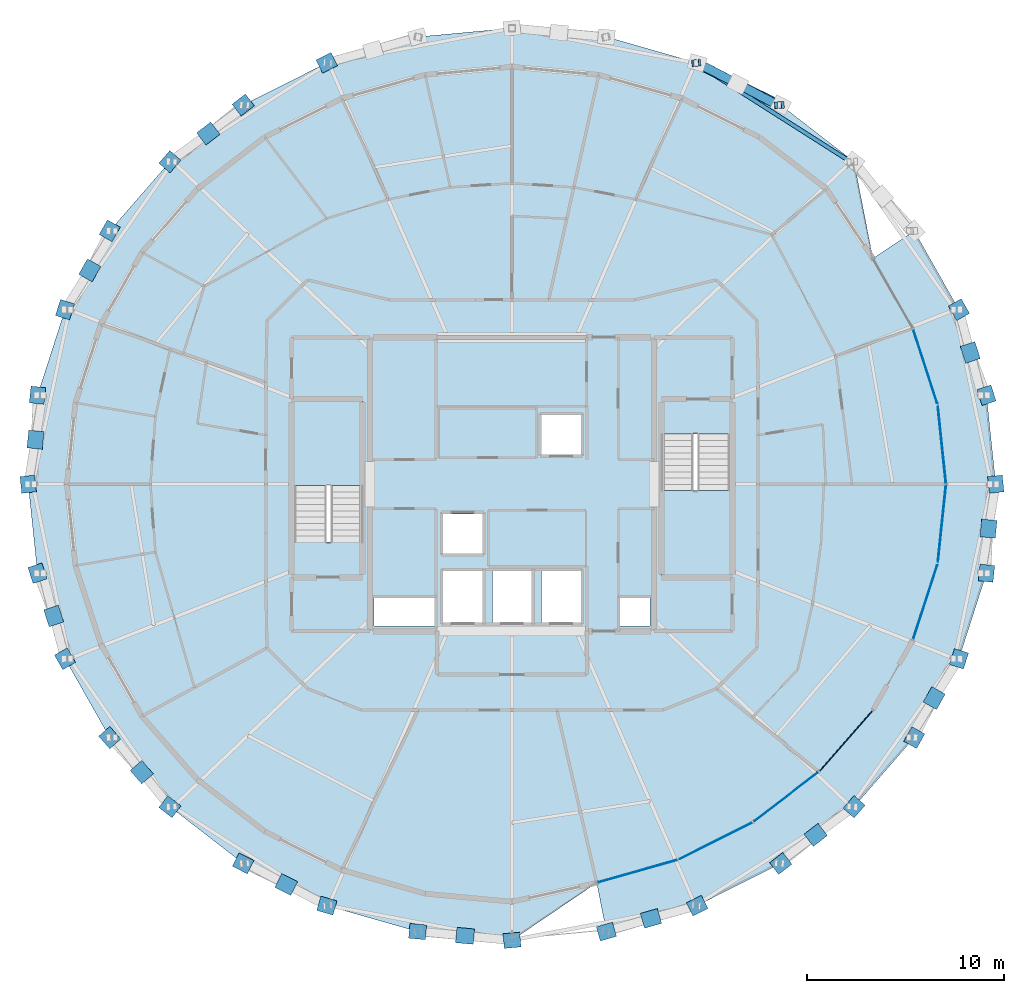
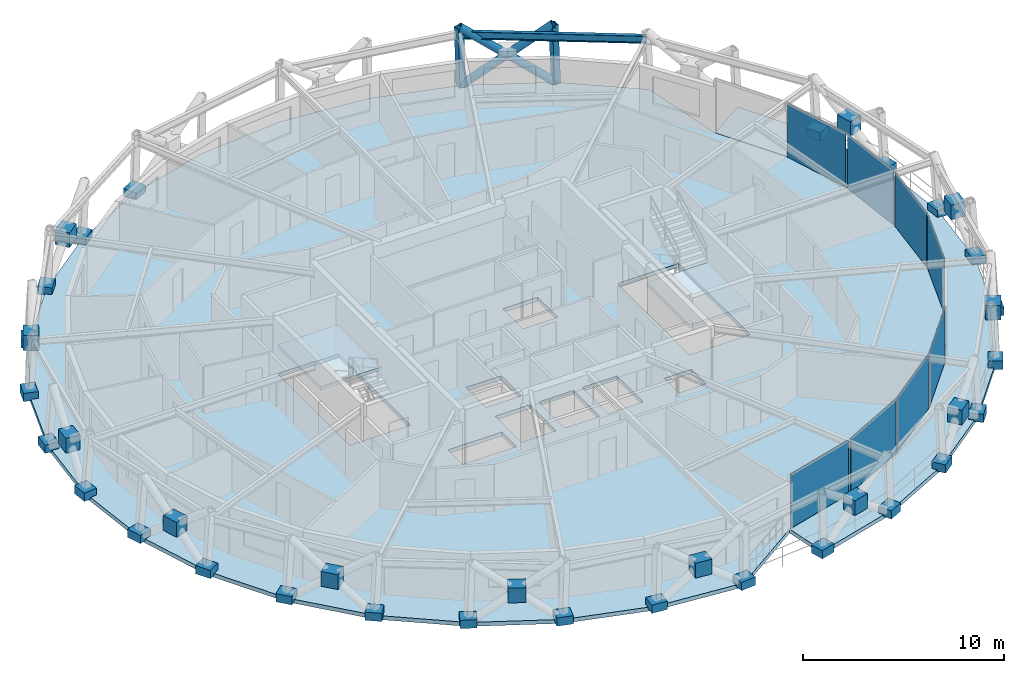
# One storey, part 10 of 17: 45 plates, 5 members, 4 slabs, 1 beam, 4 elements without a shape of their own.
"""IFC4 building model written with IfcOpenShell, lengths in metres."""

from ifc_helpers import new_model, si_unit, direction, frame, origin, origin_2d, place, context, subcontext, project, spatial, polyline, rectangle, hollow_rectangle, hollow_circle, i_section, outline, extrude, material, layer, layer_set, material_profile, profile_set, type_object, element, aggregate, save


model = new_model("IFC4")

# Units and contexts
model_context = context("Model", 3, precision=1e-05, world=origin(), true_north=direction((0.0, 1.0)))
body_context = subcontext(model_context, "Body", "Model", "MODEL_VIEW")
ifc_project = project(units=[si_unit("LENGTHUNIT", "METRE"), si_unit("AREAUNIT", "SQUARE_METRE"), si_unit("VOLUMEUNIT", "CUBIC_METRE"), si_unit("PLANEANGLEUNIT", "RADIAN"), si_unit("MASSUNIT", "GRAM", prefix="KILO")], contexts=[model_context])

# Site, building, storey
site_placement = place(None, origin())
site = spatial("IfcSite", under=ifc_project, at=site_placement, CompositionType="ELEMENT")
building_placement = place(site_placement, origin())
building = spatial("IfcBuilding", under=site, at=building_placement, Name="Veldorina Hangang Commons", CompositionType="ELEMENT")
storey_placement = place(building_placement, frame((0.0, 0.0, 229.199951171875)))
storey = spatial("IfcBuildingStorey", under=building, at=storey_placement, Name="L59", CompositionType="ELEMENT", Elevation=229.199951171875)

# Beam
ifc_material_1 = material(Name="Steel SM355-TMC", Category="steel")
ifc_material_profile_1 = material_profile(ifc_material_1, i_section(OverallWidth=0.199951171875, OverallDepth=0.449951171875, WebThickness=0.009033203125, FlangeThickness=0.013916015625, FilletRadius=0.01611328125, at=origin_2d()), Name="H-450x200x9x14")
ifc_profile_set_1 = profile_set([ifc_material_profile_1], Name="Steel SM355-TMC")
beam_type = type_object("IfcBeamType", Name="BM-RB450", PredefinedType="BEAM", material=ifc_profile_set_1)
beam_placement = place(storey_placement, frame((49.18310546875, 40.34814453125, 3.135009765625), z_axis=(-0.843907831435, 0.536488184439, 0.0), x_axis=(-0.536488184439, -0.843907831435, 0.0)))
element("IfcBeam", 1, at=beam_placement, inside=storey, type_object=beam_type, Name="L59 perimeter hoop ring beam 04", PredefinedType="BEAM", context=body_context, shape_type="SweptSolid", body=[
    extrude(i_section(OverallWidth=0.199951171875, OverallDepth=0.449951171875, WebThickness=0.009033203125, FlangeThickness=0.013916015625, FilletRadius=0.01611328125, at=origin_2d()), origin(), (0.0, 0.0, 1.0), 9.341796875),
])

# Members
ifc_material_profile_2 = material_profile(ifc_material_1, hollow_circle(Radius=0.22509765625, WallThickness=0.02197265625, at=origin_2d()), Name="CHS-450x22")
ifc_profile_set_2 = profile_set([ifc_material_profile_2], Name="Steel SM355-TMC")
member_type_1 = type_object("IfcMemberType", Name="DG-CHS450", PredefinedType="BRACE", material=ifc_profile_set_2)
member_1_placement = place(storey_placement, frame((45.63037109375, 43.232177734375, 0.0), z_axis=(-0.720506646841, 0.352640911956, 0.597088401389), x_axis=(-0.439605718611, -0.898190855088, 0.0)))
element("IfcMember", 2, at=member_1_placement, inside=storey, type_object=member_type_1, Name="L59 continuous perimeter diagrid brace 05", PredefinedType="BRACE", context=body_context, shape_type="SweptSolid", body=[
    extrude(hollow_circle(Radius=0.22509765625, WallThickness=0.02197265625, at=origin_2d()), origin(), (0.0, 0.0, 1.0), 6.029541015625),
])
member_2_placement = place(storey_placement, frame((41.388916015625, 45.36962890625, 0.0), z_axis=(0.700111815899, -0.363540342, 0.61455826817), x_axis=(0.460835983665, 0.887485321658, 0.0)))
element("IfcMember", 3, at=member_2_placement, inside=storey, type_object=member_type_1, Name="L59 split perimeter diagrid lower brace 06", PredefinedType="BRACE", context=body_context, shape_type="SweptSolid", body=[
    extrude(hollow_circle(Radius=0.22509765625, WallThickness=0.02197265625, at=origin_2d()), origin(), (0.0, 0.0, 1.0), 2.942138671875),
])
member_3_placement = place(storey_placement, frame((43.44873046875, 44.300048828125, 1.80810546875), z_axis=(0.697010762188, -0.369601551172, 0.614467811009), x_axis=(0.468477532802, 0.883475410671, 0.0)))
element("IfcMember", 4, at=member_3_placement, inside=storey, type_object=member_type_1, Name="L59 split perimeter diagrid upper brace 06", PredefinedType="BRACE", context=body_context, shape_type="SweptSolid", body=[
    extrude(hollow_circle(Radius=0.22509765625, WallThickness=0.02197265625, at=origin_2d()), origin(), (0.0, 0.0, 1.0), 2.916259765625),
])
ifc_material_profile_3 = material_profile(ifc_material_1, hollow_rectangle(XDim=0.35009765625, YDim=0.35009765625, WallThickness=0.01611328125, at=origin_2d()), Name="SHS-350x350x16")
ifc_profile_set_3 = profile_set([ifc_material_profile_3], Name="Steel SM355-TMC")
member_type_2 = type_object("IfcMemberType", Name="STR-SHS350", PredefinedType="STRUT", material=ifc_profile_set_3)
member_4_placement = place(storey_placement, frame((45.63037109375, 43.232177734375, 0.0), z_axis=(-0.041331641703, -0.002778028377, 0.999141620569), x_axis=(0.067061806148, -0.99774882318, 0.0)))
element("IfcMember", 5, at=member_4_placement, inside=storey, type_object=member_type_2, Name="L59 perimeter ring node post 05", PredefinedType="STRUT", context=body_context, shape_type="SweptSolid", body=[
    extrude(hollow_rectangle(XDim=0.35009765625, YDim=0.35009765625, WallThickness=0.01611328125, at=origin_2d()), origin(), (0.0, 0.0, 1.0), 3.603271484375),
])
member_5_placement = place(storey_placement, frame((41.388916015625, 45.36962890625, 0.0), z_axis=(-0.028538347922, -0.003118204286, 0.99958783481), x_axis=(0.108617215763, -0.994083648613, 0.0)))
element("IfcMember", 6, at=member_5_placement, inside=storey, type_object=member_type_2, Name="L59 perimeter ring node post 06", PredefinedType="STRUT", context=body_context, shape_type="SweptSolid", body=[
    extrude(hollow_rectangle(XDim=0.35009765625, YDim=0.35009765625, WallThickness=0.01611328125, at=origin_2d()), origin(), (0.0, 0.0, 1.0), 3.6015625),
])

# Curtain wall, plates
ifc_material_2 = material(Name="Glass Low-E Selective", Category="glass")
ifc_layer_1 = layer(ifc_material_2, 0.179931640625)
ifc_layer_set_1 = layer_set([ifc_layer_1], Name="Glass Low-E Selective")
curtain_wall_type = type_object("IfcCurtainWallType", Name="CW-SYS-Z3", PredefinedType="NOTDEFINED", material=ifc_layer_set_1)
curtain_wall_1_placement = place(storey_placement, origin())
curtain_wall_1 = element("IfcCurtainWall", 7, at=curtain_wall_1_placement, inside=storey, type_object=curtain_wall_type, Name="L59 unitised curtain wall CW-L59-R1", PredefinedType="NOTDEFINED")
ifc_material_3 = material(Name="Glass Low-E Triple IGU", Category="glass")
ifc_layer_2 = layer(ifc_material_3, 0.0400390625)
ifc_layer_set_2 = layer_set([ifc_layer_2], Name="Glass Low-E Triple IGU")
plate_type_1 = type_object("IfcPlateType", Name="CW-PNL-VIS", PredefinedType="CURTAIN_PANEL", material=ifc_layer_set_2)
plate_1_placement = place(storey_placement, frame((38.359619140625, 4.3720703125, 0.01513671875), z_axis=(0.0, 0.0, 1.0), x_axis=(0.961956179969, 0.273203784416, 0.0)))
plate_1 = element("IfcPlate", 8, at=plate_1_placement, type_object=plate_type_1, Name="CW-L59-R1 facet 1 glazed vision panel", PredefinedType="CURTAIN_PANEL", context=body_context, shape_type="SweptSolid", body=[
    extrude(rectangle(XDim=4.113037109375, YDim=0.0400390625, at=origin_2d()), origin(), (0.0, 0.0, 1.0), 3.2900390625),
])
plate_2_placement = place(storey_placement, frame((42.327392578125, 5.910888671875, 0.01513671875), z_axis=(0.0, 0.0, 1.0), x_axis=(0.894271429251, 0.447524983465, 0.0)))
plate_2 = element("IfcPlate", 9, at=plate_2_placement, type_object=plate_type_1, Name="CW-L59-R1 facet 2 glazed vision panel", PredefinedType="CURTAIN_PANEL", context=body_context, shape_type="SweptSolid", body=[
    extrude(rectangle(XDim=4.075927734375, YDim=0.0400390625, at=origin_2d()), origin(), (0.0, 0.0, 1.0), 3.2900390625),
])
plate_3_placement = place(storey_placement, frame((45.898193359375, 8.144775390625, 0.01513671875), z_axis=(0.0, 0.0, 1.0), x_axis=(0.792970687628, 0.609259787416, 0.0)))
plate_3 = element("IfcPlate", 10, at=plate_3_placement, type_object=plate_type_1, Name="CW-L59-R1 facet 3 glazed vision panel", PredefinedType="CURTAIN_PANEL", context=body_context, shape_type="SweptSolid", body=[
    extrude(rectangle(XDim=4.02685546875, YDim=0.0400390625, at=origin_2d()), origin(), (0.0, 0.0, 1.0), 3.2900390625),
])
plate_4_placement = place(storey_placement, frame((48.93505859375, 10.98779296875, 0.01513671875), z_axis=(0.0, 0.0, 1.0), x_axis=(0.659188335679, 0.751977884053, 0.0)))
plate_4 = element("IfcPlate", 11, at=plate_4_placement, type_object=plate_type_1, Name="CW-L59-R1 facet 4 glazed vision panel", PredefinedType="CURTAIN_PANEL", context=body_context, shape_type="SweptSolid", body=[
    extrude(rectangle(XDim=3.973388671875, YDim=0.0400390625, at=origin_2d()), origin(), (0.0, 0.0, 1.0), 3.2900390625),
])
aggregate(curtain_wall_1, [plate_1, plate_2, plate_3, plate_4])

curtain_wall_2_placement = place(storey_placement, origin())
curtain_wall_2 = element("IfcCurtainWall", 12, at=curtain_wall_2_placement, inside=storey, type_object=curtain_wall_type, Name="L59 unitised curtain wall CW-L59-R2", PredefinedType="NOTDEFINED")
plate_5_placement = place(storey_placement, frame((52.964599609375, 18.0458984375, 0.01513671875), z_axis=(0.0, 0.0, 1.0), x_axis=(0.308236734317, 0.951309684392, 0.0)))
plate_5 = element("IfcPlate", 13, at=plate_5_placement, type_object=plate_type_1, Name="CW-L59-R2 facet 1 glazed vision panel", PredefinedType="CURTAIN_PANEL", context=body_context, shape_type="SweptSolid", body=[
    extrude(rectangle(XDim=3.88427734375, YDim=0.0400390625, at=origin_2d()), origin(), (0.0, 0.0, 1.0), 3.2900390625),
])
plate_6_placement = place(storey_placement, frame((53.802490234375, 21.989501953125, 0.01513671875), z_axis=(0.0, 0.0, 1.0), x_axis=(0.104615251277, 0.994512769752, 0.0)))
plate_6 = element("IfcPlate", 14, at=plate_6_placement, type_object=plate_type_1, Name="CW-L59-R2 facet 2 glazed vision panel", PredefinedType="CURTAIN_PANEL", context=body_context, shape_type="SweptSolid", body=[
    extrude(rectangle(XDim=3.863037109375, YDim=0.0400390625, at=origin_2d()), origin(), (0.0, 0.0, 1.0), 3.2900390625),
])
plate_7_placement = place(storey_placement, frame((53.802490234375, 26.010498046875, 0.01513671875), z_axis=(0.0, 0.0, 1.0), x_axis=(-0.104615251277, 0.994512769752, 0.0)))
plate_7 = element("IfcPlate", 15, at=plate_7_placement, type_object=plate_type_1, Name="CW-L59-R2 facet 3 glazed vision panel", PredefinedType="CURTAIN_PANEL", context=body_context, shape_type="SweptSolid", body=[
    extrude(rectangle(XDim=3.863037109375, YDim=0.0400390625, at=origin_2d()), origin(), (0.0, 0.0, 1.0), 3.2900390625),
])
plate_8_placement = place(storey_placement, frame((52.964599609375, 29.9541015625, 0.01513671875), z_axis=(0.0, 0.0, 1.0), x_axis=(-0.308236734317, 0.951309684392, 0.0)))
plate_8 = element("IfcPlate", 16, at=plate_8_placement, type_object=plate_type_1, Name="CW-L59-R2 facet 4 glazed vision panel", PredefinedType="CURTAIN_PANEL", context=body_context, shape_type="SweptSolid", body=[
    extrude(rectangle(XDim=3.88427734375, YDim=0.0400390625, at=origin_2d()), origin(), (0.0, 0.0, 1.0), 3.2900390625),
])
aggregate(curtain_wall_2, [plate_5, plate_6, plate_7, plate_8])

# Plates
ifc_material_4 = material(Name="Steel SM460-TMC", Category="steel")
ifc_layer_3 = layer(ifc_material_4, 0.035888671875)
ifc_layer_set_3 = layer_set([ifc_layer_3], Name="Steel SM460-TMC")
plate_type_2 = type_object("IfcPlateType", Name="PL-STAR-36", PredefinedType="USERDEFINED", material=ifc_layer_set_3)
for number, where, z_axis, x_axis, name in (
    (17, (56.533935546875, 24.0, -0.08984375), (0.0, 0.0, 1.0), (-0.10390356614, 0.994587376224, 0.0), "L59 diagrid star-node gusset plate 00"),
    (18, (56.0625, 28.512451171875, -0.08984375), (0.0, 0.0, 1.0), (-0.306293485123, 0.951937130787, 0.0), "L59 diagrid star-node gusset plate 01"),
):
    element("IfcPlate", number, at=place(storey_placement, frame(where, z_axis=z_axis, x_axis=x_axis)), inside=storey, type_object=plate_type_2, Name=name, ObjectType="GUSSET PLATE", PredefinedType="USERDEFINED", context=body_context, shape_type="SweptSolid", body=[
        extrude(rectangle(XDim=0.85009765625, YDim=0.75, at=origin_2d()), origin(), (0.0, 0.0, 1.0), 0.5),
    ])
plate_9_placement = place(storey_placement, frame((55.239990234375, 30.681396484375, 1.351318359375), z_axis=(0.0, 0.0, 1.0), x_axis=(-0.306293485123, 0.951937130787, 0.0)))
element("IfcPlate", 19, at=plate_9_placement, inside=storey, type_object=plate_type_2, Name="L59 diagrid X-crossing star-node gusset plate 01", ObjectType="GUSSET PLATE", PredefinedType="USERDEFINED", context=body_context, shape_type="SweptSolid", body=[
    extrude(rectangle(XDim=0.89990234375, YDim=0.780029296875, at=origin_2d()), origin(), (0.0, 0.0, 1.0), 0.89990234375),
])
for number, where, z_axis, x_axis, name in (
    (20, (54.66650390625, 32.8515625, -0.08984375), (0.0, 0.0, 1.0), (-0.493198084126, 0.869917036168, 0.0), "L59 diagrid star-node gusset plate 02"),
    (21, (22.611083984375, 45.36962890625, -0.08984375), (0.0, 0.0, 1.0), (-0.89301821851, -0.45002051221, 0.0), "L59 diagrid star-node gusset plate 10"),
    (22, (18.36962890625, 43.232177734375, -0.08984375), (0.0, 0.0, 1.0), (-0.790913909982, -0.611927436055, 0.0), "L59 diagrid star-node gusset plate 11"),
):
    element("IfcPlate", number, at=place(storey_placement, frame(where, z_axis=z_axis, x_axis=x_axis)), inside=storey, type_object=plate_type_2, Name=name, ObjectType="GUSSET PLATE", PredefinedType="USERDEFINED", context=body_context, shape_type="SweptSolid", body=[
        extrude(rectangle(XDim=0.85009765625, YDim=0.75, at=origin_2d()), origin(), (0.0, 0.0, 1.0), 0.5),
    ])
plate_10_placement = place(storey_placement, frame((16.599365234375, 41.784423828125, 1.3564453125), z_axis=(0.0, 0.0, 1.0), x_axis=(-0.790913909982, -0.611927436055, 0.0)))
element("IfcPlate", 23, at=plate_10_placement, inside=storey, type_object=plate_type_2, Name="L59 diagrid X-crossing star-node gusset plate 11", ObjectType="GUSSET PLATE", PredefinedType="USERDEFINED", context=body_context, shape_type="SweptSolid", body=[
    extrude(rectangle(XDim=0.89990234375, YDim=0.780029296875, at=origin_2d()), origin(), (0.0, 0.0, 1.0), 0.89990234375),
])
for number, where, z_axis, x_axis, name in (
    (24, (14.65185546875, 40.355712890625, -0.08984375), (0.0, 0.0, 1.0), (-0.656572591483, -0.754262840204, 0.0), "L59 diagrid star-node gusset plate 12"),
    (25, (11.6005859375, 36.8505859375, -0.08984375), (0.0, 0.0, 1.0), (-0.493198084126, -0.869917036168, 0.0), "L59 diagrid star-node gusset plate 13"),
):
    element("IfcPlate", number, at=place(storey_placement, frame(where, z_axis=z_axis, x_axis=x_axis)), inside=storey, type_object=plate_type_2, Name=name, ObjectType="GUSSET PLATE", PredefinedType="USERDEFINED", context=body_context, shape_type="SweptSolid", body=[
        extrude(rectangle(XDim=0.85009765625, YDim=0.75, at=origin_2d()), origin(), (0.0, 0.0, 1.0), 0.5),
    ])
plate_11_placement = place(storey_placement, frame((10.58935546875, 34.845703125, 1.352783203125), z_axis=(0.0, 0.0, 1.0), x_axis=(-0.493198084126, -0.869917036168, 0.0)))
element("IfcPlate", 26, at=plate_11_placement, inside=storey, type_object=plate_type_2, Name="L59 diagrid X-crossing star-node gusset plate 13", ObjectType="GUSSET PLATE", PredefinedType="USERDEFINED", context=body_context, shape_type="SweptSolid", body=[
    extrude(rectangle(XDim=0.89990234375, YDim=0.780029296875, at=origin_2d()), origin(), (0.0, 0.0, 1.0), 0.89990234375),
])
for number, where, z_axis, x_axis, name in (
    (27, (9.33349609375, 32.8515625, -0.08984375), (0.0, 0.0, 1.0), (-0.306293485123, -0.951937130787, 0.0), "L59 diagrid star-node gusset plate 14"),
    (28, (7.9375, 28.512451171875, -0.08984375), (0.0, 0.0, 1.0), (-0.10390356614, -0.994587376224, 0.0), "L59 diagrid star-node gusset plate 15"),
):
    element("IfcPlate", number, at=place(storey_placement, frame(where, z_axis=z_axis, x_axis=x_axis)), inside=storey, type_object=plate_type_2, Name=name, ObjectType="GUSSET PLATE", PredefinedType="USERDEFINED", context=body_context, shape_type="SweptSolid", body=[
        extrude(rectangle(XDim=0.85009765625, YDim=0.75, at=origin_2d()), origin(), (0.0, 0.0, 1.0), 0.5),
    ])
plate_12_placement = place(storey_placement, frame((7.835693359375, 26.255615234375, 1.3505859375), z_axis=(0.0, 0.0, 1.0), x_axis=(-0.10390356614, -0.994587376224, 0.0)))
element("IfcPlate", 29, at=plate_12_placement, inside=storey, type_object=plate_type_2, Name="L59 diagrid X-crossing star-node gusset plate 15", ObjectType="GUSSET PLATE", PredefinedType="USERDEFINED", context=body_context, shape_type="SweptSolid", body=[
    extrude(rectangle(XDim=0.89990234375, YDim=0.780029296875, at=origin_2d()), origin(), (0.0, 0.0, 1.0), 0.89990234375),
])
for number, where, z_axis, x_axis, name in (
    (30, (7.466064453125, 24.0, -0.08984375), (0.0, 0.0, 1.0), (0.10390356614, -0.994587376224, 0.0), "L59 diagrid star-node gusset plate 16"),
    (31, (7.9375, 19.487548828125, -0.08984375), (0.0, 0.0, 1.0), (0.306293485123, -0.951937130787, 0.0), "L59 diagrid star-node gusset plate 17"),
):
    element("IfcPlate", number, at=place(storey_placement, frame(where, z_axis=z_axis, x_axis=x_axis)), inside=storey, type_object=plate_type_2, Name=name, ObjectType="GUSSET PLATE", PredefinedType="USERDEFINED", context=body_context, shape_type="SweptSolid", body=[
        extrude(rectangle(XDim=0.85009765625, YDim=0.75, at=origin_2d()), origin(), (0.0, 0.0, 1.0), 0.5),
    ])
plate_13_placement = place(storey_placement, frame((8.760009765625, 17.318603515625, 1.351318359375), z_axis=(0.0, 0.0, 1.0), x_axis=(0.306293485123, -0.951937130787, 0.0)))
element("IfcPlate", 32, at=plate_13_placement, inside=storey, type_object=plate_type_2, Name="L59 diagrid X-crossing star-node gusset plate 17", ObjectType="GUSSET PLATE", PredefinedType="USERDEFINED", context=body_context, shape_type="SweptSolid", body=[
    extrude(rectangle(XDim=0.89990234375, YDim=0.780029296875, at=origin_2d()), origin(), (0.0, 0.0, 1.0), 0.89990234375),
])
for number, where, z_axis, x_axis, name in (
    (33, (9.33349609375, 15.1484375, -0.08984375), (0.0, 0.0, 1.0), (0.493198084126, -0.869917036168, 0.0), "L59 diagrid star-node gusset plate 18"),
    (34, (11.6005859375, 11.1494140625, -0.08984375), (0.0, 0.0, 1.0), (0.656572591483, -0.754262840204, 0.0), "L59 diagrid star-node gusset plate 19"),
):
    element("IfcPlate", number, at=place(storey_placement, frame(where, z_axis=z_axis, x_axis=x_axis)), inside=storey, type_object=plate_type_2, Name=name, ObjectType="GUSSET PLATE", PredefinedType="USERDEFINED", context=body_context, shape_type="SweptSolid", body=[
        extrude(rectangle(XDim=0.85009765625, YDim=0.75, at=origin_2d()), origin(), (0.0, 0.0, 1.0), 0.5),
    ])
plate_14_placement = place(storey_placement, frame((13.22509765625, 9.39697265625, 1.3544921875), z_axis=(0.0, 0.0, 1.0), x_axis=(0.656572591483, -0.754262840204, 0.0)))
element("IfcPlate", 35, at=plate_14_placement, inside=storey, type_object=plate_type_2, Name="L59 diagrid X-crossing star-node gusset plate 19", ObjectType="GUSSET PLATE", PredefinedType="USERDEFINED", context=body_context, shape_type="SweptSolid", body=[
    extrude(rectangle(XDim=0.89990234375, YDim=0.780029296875, at=origin_2d()), origin(), (0.0, 0.0, 1.0), 0.89990234375),
])
for number, where, z_axis, x_axis, name in (
    (36, (14.65185546875, 7.644287109375, -0.08984375), (0.0, 0.0, 1.0), (0.790913909982, -0.611927436055, 0.0), "L59 diagrid star-node gusset plate 20"),
    (37, (18.36962890625, 4.767822265625, -0.08984375), (0.0, 0.0, 1.0), (0.89301821851, -0.45002051221, 0.0), "L59 diagrid star-node gusset plate 21"),
):
    element("IfcPlate", number, at=place(storey_placement, frame(where, z_axis=z_axis, x_axis=x_axis)), inside=storey, type_object=plate_type_2, Name=name, ObjectType="GUSSET PLATE", PredefinedType="USERDEFINED", context=body_context, shape_type="SweptSolid", body=[
        extrude(rectangle(XDim=0.85009765625, YDim=0.75, at=origin_2d()), origin(), (0.0, 0.0, 1.0), 0.5),
    ])
plate_15_placement = place(storey_placement, frame((20.55126953125, 3.699951171875, 1.358154296875), z_axis=(0.0, 0.0, 1.0), x_axis=(0.89301821851, -0.45002051221, 0.0)))
element("IfcPlate", 38, at=plate_15_placement, inside=storey, type_object=plate_type_2, Name="L59 diagrid X-crossing star-node gusset plate 21", ObjectType="GUSSET PLATE", PredefinedType="USERDEFINED", context=body_context, shape_type="SweptSolid", body=[
    extrude(rectangle(XDim=0.89990234375, YDim=0.780029296875, at=origin_2d()), origin(), (0.0, 0.0, 1.0), 0.89990234375),
])
for number, where, z_axis, x_axis, name in (
    (39, (22.611083984375, 2.63037109375, -0.08984375), (0.0, 0.0, 1.0), (0.961453892845, -0.274966201438, 0.0), "L59 diagrid star-node gusset plate 22"),
    (40, (27.213623046875, 1.314208984375, -0.08984375), (0.0, 0.0, 1.0), (0.995716633539, -0.092457480467, 0.0), "L59 diagrid star-node gusset plate 23"),
):
    element("IfcPlate", number, at=place(storey_placement, frame(where, z_axis=z_axis, x_axis=x_axis)), inside=storey, type_object=plate_type_2, Name=name, ObjectType="GUSSET PLATE", PredefinedType="USERDEFINED", context=body_context, shape_type="SweptSolid", body=[
        extrude(rectangle(XDim=0.85009765625, YDim=0.75, at=origin_2d()), origin(), (0.0, 0.0, 1.0), 0.5),
    ])
plate_16_placement = place(storey_placement, frame((29.619873046875, 1.0966796875, 1.35986328125), z_axis=(0.0, 0.0, 1.0), x_axis=(0.995716633539, -0.092457480467, 0.0)))
element("IfcPlate", 41, at=plate_16_placement, inside=storey, type_object=plate_type_2, Name="L59 diagrid X-crossing star-node gusset plate 23", ObjectType="GUSSET PLATE", PredefinedType="USERDEFINED", context=body_context, shape_type="SweptSolid", body=[
    extrude(rectangle(XDim=0.89990234375, YDim=0.780029296875, at=origin_2d()), origin(), (0.0, 0.0, 1.0), 0.89990234375),
])
for number, where, z_axis, x_axis, name in (
    (42, (32.0, 0.86962890625, -0.08984375), (0.0, 0.0, 1.0), (0.995716633539, 0.092457480467, 0.0), "L59 diagrid star-node gusset plate 24"),
    (43, (36.786376953125, 1.314208984375, -0.08984375), (0.0, 0.0, 1.0), (0.961453892845, 0.274966201438, 0.0), "L59 diagrid star-node gusset plate 25"),
):
    element("IfcPlate", number, at=place(storey_placement, frame(where, z_axis=z_axis, x_axis=x_axis)), inside=storey, type_object=plate_type_2, Name=name, ObjectType="GUSSET PLATE", PredefinedType="USERDEFINED", context=body_context, shape_type="SweptSolid", body=[
        extrude(rectangle(XDim=0.85009765625, YDim=0.75, at=origin_2d()), origin(), (0.0, 0.0, 1.0), 0.5),
    ])
plate_17_placement = place(storey_placement, frame((39.047607421875, 1.981201171875, 1.359375), z_axis=(0.0, 0.0, 1.0), x_axis=(0.961453892845, 0.274966201438, 0.0)))
element("IfcPlate", 44, at=plate_17_placement, inside=storey, type_object=plate_type_2, Name="L59 diagrid X-crossing star-node gusset plate 25", ObjectType="GUSSET PLATE", PredefinedType="USERDEFINED", context=body_context, shape_type="SweptSolid", body=[
    extrude(rectangle(XDim=0.89990234375, YDim=0.780029296875, at=origin_2d()), origin(), (0.0, 0.0, 1.0), 0.89990234375),
])
for number, where, z_axis, x_axis, name in (
    (45, (41.388916015625, 2.63037109375, -0.08984375), (0.0, 0.0, 1.0), (0.89301821851, 0.45002051221, 0.0), "L59 diagrid star-node gusset plate 26"),
    (46, (45.63037109375, 4.767822265625, -0.08984375), (0.0, 0.0, 1.0), (0.790913909982, 0.611927436055, 0.0), "L59 diagrid star-node gusset plate 27"),
):
    element("IfcPlate", number, at=place(storey_placement, frame(where, z_axis=z_axis, x_axis=x_axis)), inside=storey, type_object=plate_type_2, Name=name, ObjectType="GUSSET PLATE", PredefinedType="USERDEFINED", context=body_context, shape_type="SweptSolid", body=[
        extrude(rectangle(XDim=0.85009765625, YDim=0.75, at=origin_2d()), origin(), (0.0, 0.0, 1.0), 0.5),
    ])
plate_18_placement = place(storey_placement, frame((47.400634765625, 6.215576171875, 1.3564453125), z_axis=(0.0, 0.0, 1.0), x_axis=(0.790913909982, 0.611927436055, 0.0)))
element("IfcPlate", 47, at=plate_18_placement, inside=storey, type_object=plate_type_2, Name="L59 diagrid X-crossing star-node gusset plate 27", ObjectType="GUSSET PLATE", PredefinedType="USERDEFINED", context=body_context, shape_type="SweptSolid", body=[
    extrude(rectangle(XDim=0.89990234375, YDim=0.780029296875, at=origin_2d()), origin(), (0.0, 0.0, 1.0), 0.89990234375),
])
for number, where, z_axis, x_axis, name in (
    (48, (49.34814453125, 7.644287109375, -0.08984375), (0.0, 0.0, 1.0), (0.656572591483, 0.754262840204, 0.0), "L59 diagrid star-node gusset plate 28"),
    (49, (52.3994140625, 11.1494140625, -0.08984375), (0.0, 0.0, 1.0), (0.493198084126, 0.869917036168, 0.0), "L59 diagrid star-node gusset plate 29"),
):
    element("IfcPlate", number, at=place(storey_placement, frame(where, z_axis=z_axis, x_axis=x_axis)), inside=storey, type_object=plate_type_2, Name=name, ObjectType="GUSSET PLATE", PredefinedType="USERDEFINED", context=body_context, shape_type="SweptSolid", body=[
        extrude(rectangle(XDim=0.85009765625, YDim=0.75, at=origin_2d()), origin(), (0.0, 0.0, 1.0), 0.5),
    ])
plate_19_placement = place(storey_placement, frame((53.41064453125, 13.154296875, 1.352783203125), z_axis=(0.0, 0.0, 1.0), x_axis=(0.493198084126, 0.869917036168, 0.0)))
element("IfcPlate", 50, at=plate_19_placement, inside=storey, type_object=plate_type_2, Name="L59 diagrid X-crossing star-node gusset plate 29", ObjectType="GUSSET PLATE", PredefinedType="USERDEFINED", context=body_context, shape_type="SweptSolid", body=[
    extrude(rectangle(XDim=0.89990234375, YDim=0.780029296875, at=origin_2d()), origin(), (0.0, 0.0, 1.0), 0.89990234375),
])
for number, where, z_axis, x_axis, name in (
    (51, (54.66650390625, 15.1484375, -0.08984375), (0.0, 0.0, 1.0), (0.306293485123, 0.951937130787, 0.0), "L59 diagrid star-node gusset plate 30"),
    (52, (56.0625, 19.487548828125, -0.08984375), (0.0, 0.0, 1.0), (0.10390356614, 0.994587376224, 0.0), "L59 diagrid star-node gusset plate 31"),
):
    element("IfcPlate", number, at=place(storey_placement, frame(where, z_axis=z_axis, x_axis=x_axis)), inside=storey, type_object=plate_type_2, Name=name, ObjectType="GUSSET PLATE", PredefinedType="USERDEFINED", context=body_context, shape_type="SweptSolid", body=[
        extrude(rectangle(XDim=0.85009765625, YDim=0.75, at=origin_2d()), origin(), (0.0, 0.0, 1.0), 0.5),
    ])
plate_20_placement = place(storey_placement, frame((56.164306640625, 21.744384765625, 1.3505859375), z_axis=(0.0, 0.0, 1.0), x_axis=(0.10390356614, 0.994587376224, 0.0)))
element("IfcPlate", 53, at=plate_20_placement, inside=storey, type_object=plate_type_2, Name="L59 diagrid X-crossing star-node gusset plate 31", ObjectType="GUSSET PLATE", PredefinedType="USERDEFINED", context=body_context, shape_type="SweptSolid", body=[
    extrude(rectangle(XDim=0.89990234375, YDim=0.780029296875, at=origin_2d()), origin(), (0.0, 0.0, 1.0), 0.89990234375),
])

# Slabs
ifc_material_5 = material(Name="Concrete C40/50", Category="concrete")
ifc_layer_4 = layer(ifc_material_5, 0.239990234375)
ifc_layer_set_4 = layer_set([ifc_layer_4], Name="Concrete C40/50")
slab_type_1 = type_object("IfcSlabType", Name="SL-FLR-240", PredefinedType="FLOOR", material=ifc_layer_set_4)
slab_1_placement = place(storey_placement, frame((0.0, 0.0, -0.239990234375)))
element("IfcSlab", 54, at=slab_1_placement, inside=storey, type_object=slab_type_1, Name="L59 tower structural floor slab", PredefinedType="FLOOR", context=body_context, shape_type="SweptSolid", body=[
    extrude(outline(polyline([(54.013916015625, 24.0), (53.591064453125, 28.02099609375), (52.33837890625, 31.88720703125), (50.303955078125, 35.450439453125), (49.34814453125, 40.355712890625), (45.63037109375, 43.232177734375), (41.388916015625, 45.36962890625), (36.786376953125, 46.685791015625), (32.0, 47.13037109375), (27.213623046875, 46.685791015625), (22.611083984375, 45.36962890625), (18.36962890625, 43.232177734375), (14.65185546875, 40.355712890625), (11.6005859375, 36.8505859375), (9.33349609375, 32.8515625), (7.9375, 28.512451171875), (7.466064453125, 24.0), (7.9375, 19.487548828125), (9.33349609375, 15.1484375), (11.6005859375, 11.1494140625), (14.65185546875, 7.644287109375), (18.36962890625, 4.767822265625), (22.611083984375, 2.63037109375), (27.213623046875, 1.314208984375), (32.0, 0.86962890625), (36.294677734375, 3.78564453125), (40.42431640625, 4.95849609375), (44.230224609375, 6.86328125), (47.566162109375, 9.42626953125), (50.303955078125, 12.549560546875), (52.33837890625, 16.11279296875), (53.591064453125, 19.97900390625), (54.013916015625, 24.0)]), holes=[polyline([(20.949951171875, 21.05810546875), (20.949951171875, 28.199951171875), (24.449951171875, 28.199951171875), (24.449951171875, 21.05810546875), (20.949951171875, 21.05810546875)]), polyline([(43.050048828125, 26.5419921875), (43.050048828125, 19.39990234375), (39.550048828125, 19.39990234375), (39.550048828125, 26.5419921875), (43.050048828125, 26.5419921875)]), polyline([(33.5, 27.5), (35.5, 27.5), (35.5, 25.5), (33.5, 25.5), (33.5, 27.5)]), polyline([(28.5, 22.5), (30.5, 22.5), (30.5, 20.5), (28.5, 20.5), (28.5, 22.5)]), polyline([(28.5, 19.60009765625), (30.5, 19.60009765625), (30.5, 17.0), (28.5, 17.0), (28.5, 19.60009765625)]), polyline([(31.0, 19.60009765625), (33.0, 19.60009765625), (33.0, 17.0), (31.0, 17.0), (31.0, 19.60009765625)]), polyline([(33.5, 19.60009765625), (35.5, 19.60009765625), (35.5, 17.0), (33.5, 17.0), (33.5, 19.60009765625)]), polyline([(25.0, 18.25), (28.10009765625, 18.25), (28.10009765625, 16.800048828125), (25.0, 16.800048828125), (25.0, 18.25)]), polyline([(37.449951171875, 18.25), (39.0, 18.25), (39.0, 16.800048828125), (37.449951171875, 16.800048828125), (37.449951171875, 18.25)])]), origin(), (0.0, 0.0, 1.0), 0.239990234375),
])
slab_2_placement = place(storey_placement, frame((0.0, 0.0, -0.239990234375)))
element("IfcSlab", 55, at=slab_2_placement, inside=storey, type_object=slab_type_1, Name="L59 sky-garden loggia outdoor slab", PredefinedType="FLOOR", context=body_context, shape_type="SweptSolid", body=[
    extrude(outline(polyline([(52.3994140625, 36.8505859375), (54.66650390625, 32.8515625), (56.0625, 28.512451171875), (56.533935546875, 24.0), (56.0625, 19.487548828125), (54.66650390625, 15.1484375), (52.3994140625, 11.1494140625), (49.34814453125, 7.644287109375), (45.63037109375, 4.767822265625), (41.388916015625, 2.63037109375), (36.786376953125, 1.314208984375), (36.2978515625, 3.769775390625), (36.301025390625, 3.77197265625), (40.428466796875, 4.944091796875), (40.4296875, 4.944580078125), (40.43115234375, 4.9453125), (44.237060546875, 6.849853515625), (44.23828125, 6.8505859375), (44.239501953125, 6.851318359375), (47.5751953125, 9.414306640625), (47.576416015625, 9.415283203125), (47.577392578125, 9.41650390625), (50.315185546875, 12.53955078125), (50.316162109375, 12.540771484375), (50.31689453125, 12.5419921875), (52.351318359375, 16.10546875), (52.35205078125, 16.106689453125), (52.3525390625, 16.108154296875), (53.605224609375, 19.974609375), (53.605712890625, 19.97607421875), (53.60595703125, 19.9775390625), (54.02880859375, 23.998291015625), (54.029052734375, 24.0), (54.02880859375, 24.001708984375), (53.60595703125, 28.0224609375), (53.605712890625, 28.02392578125), (53.605224609375, 28.025390625), (52.3525390625, 31.891845703125), (52.35205078125, 31.893310546875), (52.351318359375, 31.89453125), (50.318359375, 35.455810546875), (50.3173828125, 35.45947265625), (52.3994140625, 36.8505859375)])), origin(), (0.0, 0.0, 1.0), 0.239990234375),
])

# Stair, slab
stair_type = type_object("IfcStairType", Name="STR-DOG-1650-20R", PredefinedType="HALF_TURN_STAIR", material=ifc_material_5)
stair_1_placement = place(storey_placement, origin())
stair_1 = element("IfcStair", 56, at=stair_1_placement, inside=storey, type_object=stair_type, Name="L59 Exit stair ST-1", PredefinedType="HALF_TURN_STAIR")
ifc_layer_5 = layer(ifc_material_5, 0.199951171875)
ifc_layer_set_5 = layer_set([ifc_layer_5], Name="Concrete C40/50")
slab_type_2 = type_object("IfcSlabType", Name="SL-LND-200", PredefinedType="LANDING", material=ifc_layer_set_5)
slab_3_placement = place(storey_placement, frame((0.0, 0.0, 1.60009765625)))
slab_3 = element("IfcSlab", 57, at=slab_3_placement, type_object=slab_type_2, Name="ST-1 landing 1", PredefinedType="LANDING", context=body_context, shape_type="SweptSolid", body=[
    extrude(outline(polyline([(24.449951171875, 23.929931640625), (24.449951171875, 28.199951171875), (20.949951171875, 28.199951171875), (20.949951171875, 23.929931640625), (24.449951171875, 23.929931640625)])), origin(), (0.0, 0.0, 1.0), 0.199951171875),
])
aggregate(stair_1, [slab_3])

stair_2_placement = place(storey_placement, origin())
stair_2 = element("IfcStair", 58, at=stair_2_placement, inside=storey, type_object=stair_type, Name="L59 Exit stair ST-2", PredefinedType="HALF_TURN_STAIR")
slab_4_placement = place(storey_placement, frame((0.0, 0.0, 1.60009765625)))
slab_4 = element("IfcSlab", 59, at=slab_4_placement, type_object=slab_type_2, Name="ST-2 landing 1", PredefinedType="LANDING", context=body_context, shape_type="SweptSolid", body=[
    extrude(outline(polyline([(39.550048828125, 23.669921875), (39.550048828125, 19.39990234375), (43.050048828125, 19.39990234375), (43.050048828125, 23.669921875), (39.550048828125, 23.669921875)])), origin(), (0.0, 0.0, 1.0), 0.199951171875),
])
aggregate(stair_2, [slab_4])

save(model, "model.ifc")
